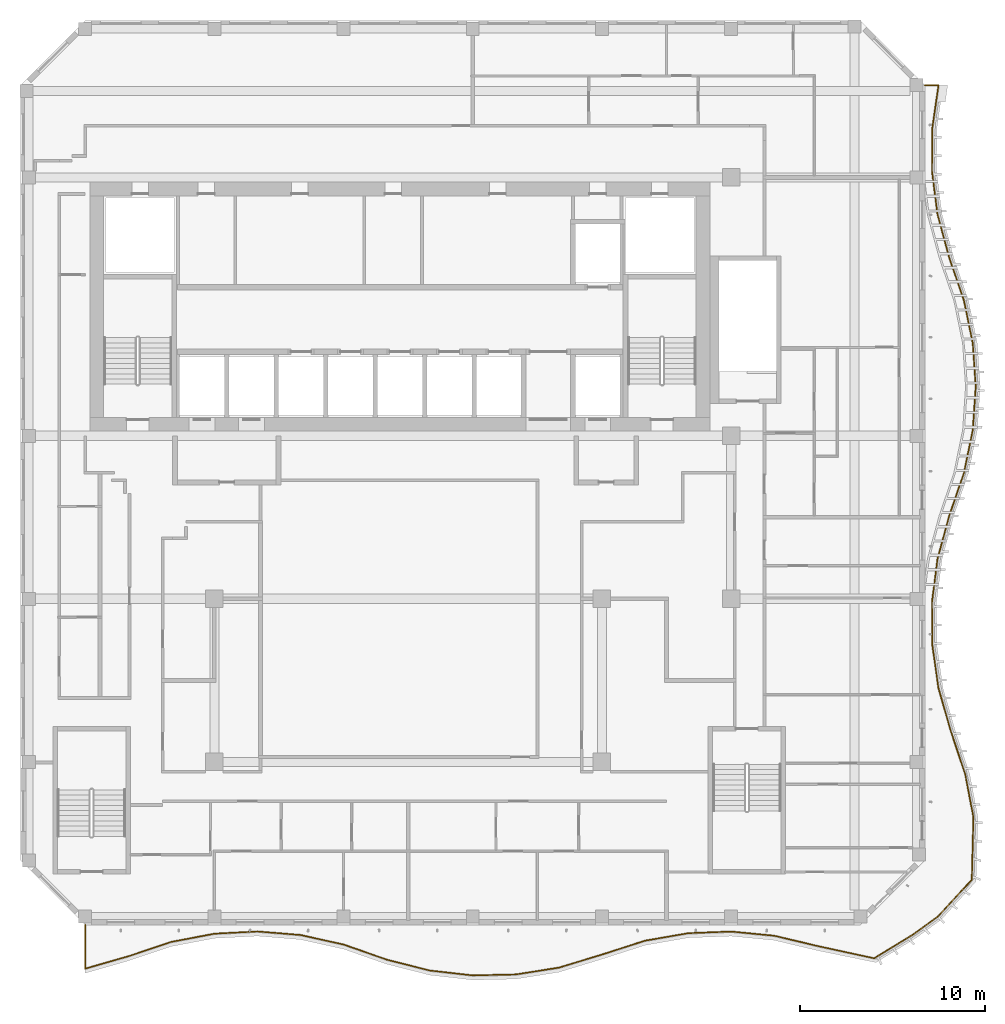
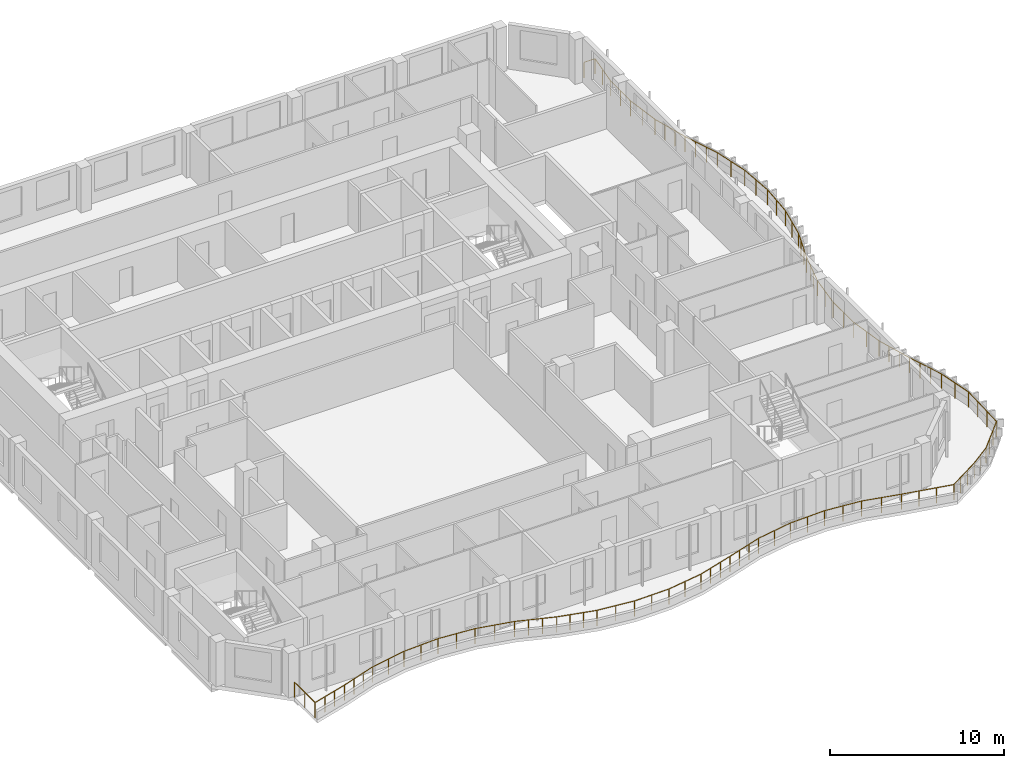
# One storey, part 14 of 18: 1 railing.
"""IFC4 building model written with IfcOpenShell, lengths in metres."""

from ifc_helpers import new_model, si_unit, direction, frame, origin, origin_2d, place, context, subcontext, project, spatial, circle, extrude, material, type_object, element, save


model = new_model("IFC4")

# Units and contexts
model_context = context("Model", 3, precision=1e-05, world=origin(), true_north=direction((0.0, 1.0)))
body_context = subcontext(model_context, "Body", "Model", "MODEL_VIEW")
ifc_project = project(units=[si_unit("LENGTHUNIT", "METRE"), si_unit("AREAUNIT", "SQUARE_METRE"), si_unit("VOLUMEUNIT", "CUBIC_METRE"), si_unit("PLANEANGLEUNIT", "RADIAN"), si_unit("MASSUNIT", "GRAM", prefix="KILO")], contexts=[model_context])

# Site, building, storey
site_placement = place(None, origin())
site = spatial("IfcSite", under=ifc_project, at=site_placement, CompositionType="ELEMENT")
building_placement = place(site_placement, origin())
building = spatial("IfcBuilding", under=site, at=building_placement, Name="Kilnfold Tower and Market Hall", CompositionType="ELEMENT")
storey_placement = place(building_placement, frame((0.0, 0.0, 256.0)))
storey = spatial("IfcBuildingStorey", under=building, at=storey_placement, Name="L62", CompositionType="ELEMENT", Elevation=256.0)

# Railing
ifc_material = material(Name="Stainless steel and laminated glass", Category="steel")
railing_type = type_object("IfcRailingType", Name="GUARD 1100", PredefinedType="GUARDRAIL", material=ifc_material)
railing_placement = place(storey_placement, frame((-16.0, -18.5, 0.0)))
element("IfcRailing", 1, at=railing_placement, inside=storey, type_object=railing_type, Name="Guard balcony L62", PredefinedType="GUARDRAIL", context=body_context, shape_type="SweptSolid", body=[
    extrude(circle(Radius=0.02490234375, at=origin_2d()), frame((0.0, 0.0, 1.0751953125), z_axis=(0.0, -1.0, 0.0), x_axis=(1.0, 0.0, 0.0)), (0.0, 0.0, 1.0), 2.367431640625),
    extrude(circle(Radius=0.02490234375, at=origin_2d()), frame((0.0, -2.367431640625, 1.0751953125), z_axis=(0.96113971032, 0.276062415489, 0.0), x_axis=(-0.276062415489, 0.96113971032, 0.0)), (0.0, 0.0, 1.0), 2.427490234375),
    extrude(circle(Radius=0.02490234375, at=origin_2d()), frame((2.333251953125, -1.697265625, 1.0751953125), z_axis=(0.94844487588, 0.316942135756, 0.0), x_axis=(-0.316942135756, 0.94844487588, 0.0)), (0.0, 0.0, 1.0), 2.46044921875),
    extrude(circle(Radius=0.02490234375, at=origin_2d()), frame((4.666748046875, -0.91748046875, 1.0751953125), z_axis=(0.982421246933, 0.186677512235, 0.0), x_axis=(-0.186677512235, 0.982421246933, 0.0)), (0.0, 0.0, 1.0), 2.375),
    extrude(circle(Radius=0.02490234375, at=origin_2d()), frame((7.0, -0.47412109375, 1.0751953125), z_axis=(0.998628776345, 0.052350425547, 0.0), x_axis=(-0.052350425547, 0.998628776345, 0.0)), (0.0, 0.0, 1.0), 2.33642578125),
    extrude(circle(Radius=0.02490234375, at=origin_2d()), frame((9.333251953125, -0.351806640625, 1.0751953125), z_axis=(0.996635774211, -0.081958120792, 0.0), x_axis=(0.081958120792, 0.996635774211, 0.0)), (0.0, 0.0, 1.0), 2.34130859375),
    extrude(circle(Radius=0.02490234375, at=origin_2d()), frame((11.666748046875, -0.543701171875, 1.0751953125), z_axis=(0.976355032101, -0.216173197439, 0.0), x_axis=(0.216173197439, 0.976355032101, 0.0)), (0.0, 0.0, 1.0), 2.3896484375),
    extrude(circle(Radius=0.02490234375, at=origin_2d()), frame((14.0, -1.060302734375, 1.0751953125), z_axis=(0.94404147133, -0.329826773336, 0.0), x_axis=(0.329826773336, 0.94404147133, 0.0)), (0.0, 0.0, 1.0), 2.471435546875),
    extrude(circle(Radius=0.02490234375, at=origin_2d()), frame((16.333251953125, -1.87548828125, 1.0751953125), z_axis=(0.969144312819, -0.246494018044, 0.0), x_axis=(0.246494018044, 0.969144312819, 0.0)), (0.0, 0.0, 1.0), 2.40771484375),
    extrude(circle(Radius=0.02490234375, at=origin_2d()), frame((18.666748046875, -2.468994140625, 1.0751953125), z_axis=(0.993686911197, -0.112188780703, 0.0), x_axis=(0.112188780703, 0.993686911197, 0.0)), (0.0, 0.0, 1.0), 2.34814453125),
    extrude(circle(Radius=0.02490234375, at=origin_2d()), frame((21.0, -2.732421875, 1.0751953125), z_axis=(0.999756368741, 0.022072679063, 0.0), x_axis=(-0.022072679063, 0.999756368741, 0.0)), (0.0, 0.0, 1.0), 2.333740234375),
    extrude(circle(Radius=0.02490234375, at=origin_2d()), frame((23.333251953125, -2.680908203125, 1.0751953125), z_axis=(0.987717677878, 0.156249124184, 0.0), x_axis=(-0.156249124184, 0.987717677878, 0.0)), (0.0, 0.0, 1.0), 2.362548828125),
    extrude(circle(Radius=0.02490234375, at=origin_2d()), frame((25.666748046875, -2.311767578125, 1.0751953125), z_axis=(0.956831366062, 0.290643659692, 0.0), x_axis=(-0.290643659692, 0.956831366062, 0.0)), (0.0, 0.0, 1.0), 2.4384765625),
    extrude(circle(Radius=0.02490234375, at=origin_2d()), frame((28.0, -1.60302734375, 1.0751953125), z_axis=(0.952083481777, 0.305838264001, 0.0), x_axis=(-0.305838264001, 0.952083481777, 0.0)), (0.0, 0.0, 1.0), 2.45068359375),
    extrude(circle(Radius=0.02490234375, at=origin_2d()), frame((30.333251953125, -0.853515625, 1.0751953125), z_axis=(0.985076806765, 0.172115324053, 0.0), x_axis=(-0.172115324053, 0.985076806765, 0.0)), (0.0, 0.0, 1.0), 2.368896484375),
    extrude(circle(Radius=0.02490234375, at=origin_2d()), frame((32.666748046875, -0.44580078125, 1.0751953125), z_axis=(0.999283399751, 0.037850851806, 0.0), x_axis=(-0.037850851806, 0.999283399751, 0.0)), (0.0, 0.0, 1.0), 2.3349609375),
    extrude(circle(Radius=0.02490234375, at=origin_2d()), frame((35.0, -0.357421875, 1.0751953125), z_axis=(0.995338733027, -0.09644068921, 0.0), x_axis=(0.09644068921, 0.995338733027, 0.0)), (0.0, 0.0, 1.0), 2.34423828125),
    extrude(circle(Radius=0.02490234375, at=origin_2d()), frame((37.333251953125, -0.58349609375, 1.0751953125), z_axis=(0.973028594078, -0.230684535905, 0.0), x_axis=(0.230684535905, 0.973028594078, 0.0)), (0.0, 0.0, 1.0), 2.398193359375),
    extrude(circle(Radius=0.02490234375, at=origin_2d()), frame((39.666748046875, -1.13671875, 1.0751953125), z_axis=(0.977117646737, -0.212699563786, 0.0), x_axis=(0.212699563786, 0.977117646737, 0.0)), (0.0, 0.0, 1.0), 3.154296875),
    extrude(circle(Radius=0.02490234375, at=origin_2d()), frame((42.748779296875, -1.8076171875, 1.0751953125), z_axis=(0.852892670022, 0.522086289249, 0.0), x_axis=(-0.522086289249, 0.852892670022, 0.0)), (0.0, 0.0, 1.0), 2.46728515625),
    extrude(circle(Radius=0.02490234375, at=origin_2d()), frame((44.85302734375, -0.51953125, 1.0751953125), z_axis=(0.809096176964, 0.587676251368, 0.0), x_axis=(-0.587676251368, 0.809096176964, 0.0)), (0.0, 0.0, 1.0), 1.67041015625),
    extrude(circle(Radius=0.02490234375, at=origin_2d()), frame((46.20458984375, 0.462158203125, 1.0751953125), z_axis=(0.678512597935, 0.734588765531, 0.0), x_axis=(-0.734588765531, 0.678512597935, 0.0)), (0.0, 0.0, 1.0), 2.70361328125),
    extrude(circle(Radius=0.02490234375, at=origin_2d()), frame((48.0390625, 2.4482421875, 1.0751953125), z_axis=(0.02530743456, 0.999679715587, 0.0), x_axis=(-0.999679715587, 0.02530743456, 0.0)), (0.0, 0.0, 1.0), 3.385986328125),
    extrude(circle(Radius=0.02490234375, at=origin_2d()), frame((48.124755859375, 5.833251953125, 1.0751953125), z_axis=(-0.187055433655, 0.982349359821, 0.0), x_axis=(-0.982349359821, -0.187055433655, 0.0)), (0.0, 0.0, 1.0), 2.37548828125),
    extrude(circle(Radius=0.02490234375, at=origin_2d()), frame((47.680419921875, 8.166748046875, 1.0751953125), z_axis=(-0.317418207313, 0.948285654044, 0.0), x_axis=(-0.948285654044, -0.317418207313, 0.0)), (0.0, 0.0, 1.0), 2.46044921875),
    extrude(circle(Radius=0.02490234375, at=origin_2d()), frame((46.8994140625, 10.5, 1.0751953125), z_axis=(-0.275504847693, 0.961299682148, 0.0), x_axis=(-0.961299682148, -0.275504847693, 0.0)), (0.0, 0.0, 1.0), 2.42724609375),
    extrude(circle(Radius=0.02490234375, at=origin_2d()), frame((46.230712890625, 12.833251953125, 1.0751953125), z_axis=(-0.141276349669, 0.989970198048, 0.0), x_axis=(-0.989970198048, -0.141276349669, 0.0)), (0.0, 0.0, 1.0), 2.357177734375),
    extrude(circle(Radius=0.02490234375, at=origin_2d()), frame((45.897705078125, 15.166748046875, 1.0751953125), z_axis=(-0.007010395898, 0.999975426873, 0.0), x_axis=(-0.999975426873, -0.007010395898, 0.0)), (0.0, 0.0, 1.0), 2.333251953125),
    extrude(circle(Radius=0.02490234375, at=origin_2d()), frame((45.88134765625, 17.5, 1.0751953125), z_axis=(0.12724024102, 0.991871927753, 0.0), x_axis=(-0.991871927753, 0.12724024102, 0.0)), (0.0, 0.0, 1.0), 2.352294921875),
    extrude(circle(Radius=0.02490234375, at=origin_2d()), frame((46.1806640625, 19.833251953125, 1.0751953125), z_axis=(0.261544835595, 0.965191327651, 0.0), x_axis=(-0.965191327651, 0.261544835595, 0.0)), (0.0, 0.0, 1.0), 2.417724609375),
    extrude(circle(Radius=0.02490234375, at=origin_2d()), frame((46.81298828125, 22.166748046875, 1.0751953125), z_axis=(0.324883398585, 0.945754078671, 0.0), x_axis=(-0.945754078671, 0.324883398585, 0.0)), (0.0, 0.0, 1.0), 2.467041015625),
    extrude(circle(Radius=0.02490234375, at=origin_2d()), frame((47.614501953125, 24.5, 1.0751953125), z_axis=(0.201100506753, 0.979570613169, 0.0), x_axis=(-0.979570613169, 0.201100506753, 0.0)), (0.0, 0.0, 1.0), 2.3818359375),
    extrude(circle(Radius=0.02490234375, at=origin_2d()), frame((48.093505859375, 26.833251953125, 1.0751953125), z_axis=(0.066913931739, 0.997758751272, 0.0), x_axis=(-0.997758751272, 0.066913931739, 0.0)), (0.0, 0.0, 1.0), 2.338623046875),
    extrude(circle(Radius=0.02490234375, at=origin_2d()), frame((48.25, 29.166748046875, 1.0751953125), z_axis=(-0.067440540817, 0.997723295034, 0.0), x_axis=(-0.997723295034, -0.067440540817, 0.0)), (0.0, 0.0, 1.0), 2.338623046875),
    extrude(circle(Radius=0.02490234375, at=origin_2d()), frame((48.09228515625, 31.5, 1.0751953125), z_axis=(-0.201592193466, 0.979469543954, 0.0), x_axis=(-0.979469543954, -0.201592193466, 0.0)), (0.0, 0.0, 1.0), 2.382080078125),
    extrude(circle(Radius=0.02490234375, at=origin_2d()), frame((47.612060546875, 33.833251953125, 1.0751953125), z_axis=(-0.325118480329, 0.945673291231, 0.0), x_axis=(-0.945673291231, -0.325118480329, 0.0)), (0.0, 0.0, 1.0), 2.467529296875),
    extrude(circle(Radius=0.02490234375, at=origin_2d()), frame((46.809814453125, 36.166748046875, 1.0751953125), z_axis=(-0.261005700354, 0.965337259398, 0.0), x_axis=(-0.965337259398, -0.261005700354, 0.0)), (0.0, 0.0, 1.0), 2.4169921875),
    extrude(circle(Radius=0.02490234375, at=origin_2d()), frame((46.178955078125, 38.5, 1.0751953125), z_axis=(-0.126729667634, 0.991937292041, 0.0), x_axis=(-0.991937292041, -0.126729667634, 0.0)), (0.0, 0.0, 1.0), 2.352294921875),
    extrude(circle(Radius=0.02490234375, at=origin_2d()), frame((45.880859375, 40.833251953125, 1.0751953125), z_axis=(0.007532742964, 0.999971628489, 0.0), x_axis=(-0.999971628489, 0.007532742964, 0.0)), (0.0, 0.0, 1.0), 2.33349609375),
    extrude(circle(Radius=0.02490234375, at=origin_2d()), frame((45.8984375, 43.166748046875, 1.0751953125), z_axis=(0.141696872456, 0.989910095077, 0.0), x_axis=(-0.989910095077, 0.141696872456, 0.0)), (0.0, 0.0, 1.0), 2.35693359375),
    extrude(circle(Radius=0.02490234375, at=origin_2d()), frame((46.232421875, 45.5, 1.0751953125), z_axis=(-1.0, 0.0, 0.0), x_axis=(0.0, -1.0, 0.0)), (0.0, 0.0, 1.0), 0.732421875),
    extrude(circle(Radius=0.02490234375, at=origin_2d()), origin(), (0.0, 0.0, 1.0), 1.050048828125),
    extrude(circle(Radius=0.02490234375, at=origin_2d()), frame((0.0, -1.18359375, 0.0)), (0.0, 0.0, 1.0), 1.050048828125),
    extrude(circle(Radius=0.02490234375, at=origin_2d()), frame((0.0, -2.367431640625, 0.0)), (0.0, 0.0, 1.0), 1.050048828125),
    extrude(circle(Radius=0.02490234375, at=origin_2d()), frame((0.77783203125, -2.14404296875, 0.0)), (0.0, 0.0, 1.0), 1.050048828125),
    extrude(circle(Radius=0.02490234375, at=origin_2d()), frame((1.555419921875, -1.920654296875, 0.0)), (0.0, 0.0, 1.0), 1.050048828125),
    extrude(circle(Radius=0.02490234375, at=origin_2d()), frame((2.333251953125, -1.697265625, 0.0)), (0.0, 0.0, 1.0), 1.050048828125),
    extrude(circle(Radius=0.02490234375, at=origin_2d()), frame((3.111083984375, -1.437255859375, 0.0)), (0.0, 0.0, 1.0), 1.050048828125),
    extrude(circle(Radius=0.02490234375, at=origin_2d()), frame((3.888916015625, -1.177490234375, 0.0)), (0.0, 0.0, 1.0), 1.050048828125),
    extrude(circle(Radius=0.02490234375, at=origin_2d()), frame((4.666748046875, -0.91748046875, 0.0)), (0.0, 0.0, 1.0), 1.050048828125),
    extrude(circle(Radius=0.02490234375, at=origin_2d()), frame((5.83349609375, -0.69580078125, 0.0)), (0.0, 0.0, 1.0), 1.050048828125),
    extrude(circle(Radius=0.02490234375, at=origin_2d()), frame((7.0, -0.47412109375, 0.0)), (0.0, 0.0, 1.0), 1.050048828125),
    extrude(circle(Radius=0.02490234375, at=origin_2d()), frame((8.16650390625, -0.4130859375, 0.0)), (0.0, 0.0, 1.0), 1.050048828125),
    extrude(circle(Radius=0.02490234375, at=origin_2d()), frame((9.333251953125, -0.351806640625, 0.0)), (0.0, 0.0, 1.0), 1.050048828125),
    extrude(circle(Radius=0.02490234375, at=origin_2d()), frame((10.5, -0.44775390625, 0.0)), (0.0, 0.0, 1.0), 1.050048828125),
    extrude(circle(Radius=0.02490234375, at=origin_2d()), frame((11.666748046875, -0.543701171875, 0.0)), (0.0, 0.0, 1.0), 1.050048828125),
    extrude(circle(Radius=0.02490234375, at=origin_2d()), frame((12.83349609375, -0.802001953125, 0.0)), (0.0, 0.0, 1.0), 1.050048828125),
    extrude(circle(Radius=0.02490234375, at=origin_2d()), frame((14.0, -1.060302734375, 0.0)), (0.0, 0.0, 1.0), 1.050048828125),
    extrude(circle(Radius=0.02490234375, at=origin_2d()), frame((14.77783203125, -1.33203125, 0.0)), (0.0, 0.0, 1.0), 1.050048828125),
    extrude(circle(Radius=0.02490234375, at=origin_2d()), frame((15.555419921875, -1.603759765625, 0.0)), (0.0, 0.0, 1.0), 1.050048828125),
    extrude(circle(Radius=0.02490234375, at=origin_2d()), frame((16.333251953125, -1.87548828125, 0.0)), (0.0, 0.0, 1.0), 1.050048828125),
    extrude(circle(Radius=0.02490234375, at=origin_2d()), frame((17.111083984375, -2.0732421875, 0.0)), (0.0, 0.0, 1.0), 1.050048828125),
    extrude(circle(Radius=0.02490234375, at=origin_2d()), frame((17.888916015625, -2.271240234375, 0.0)), (0.0, 0.0, 1.0), 1.050048828125),
    extrude(circle(Radius=0.02490234375, at=origin_2d()), frame((18.666748046875, -2.468994140625, 0.0)), (0.0, 0.0, 1.0), 1.050048828125),
    extrude(circle(Radius=0.02490234375, at=origin_2d()), frame((19.83349609375, -2.6005859375, 0.0)), (0.0, 0.0, 1.0), 1.050048828125),
    extrude(circle(Radius=0.02490234375, at=origin_2d()), frame((21.0, -2.732421875, 0.0)), (0.0, 0.0, 1.0), 1.050048828125),
    extrude(circle(Radius=0.02490234375, at=origin_2d()), frame((22.16650390625, -2.70654296875, 0.0)), (0.0, 0.0, 1.0), 1.050048828125),
    extrude(circle(Radius=0.02490234375, at=origin_2d()), frame((23.333251953125, -2.680908203125, 0.0)), (0.0, 0.0, 1.0), 1.050048828125),
    extrude(circle(Radius=0.02490234375, at=origin_2d()), frame((24.5, -2.496337890625, 0.0)), (0.0, 0.0, 1.0), 1.050048828125),
    extrude(circle(Radius=0.02490234375, at=origin_2d()), frame((25.666748046875, -2.311767578125, 0.0)), (0.0, 0.0, 1.0), 1.050048828125),
    extrude(circle(Radius=0.02490234375, at=origin_2d()), frame((26.444580078125, -2.075439453125, 0.0)), (0.0, 0.0, 1.0), 1.050048828125),
    extrude(circle(Radius=0.02490234375, at=origin_2d()), frame((27.22216796875, -1.83935546875, 0.0)), (0.0, 0.0, 1.0), 1.050048828125),
    extrude(circle(Radius=0.02490234375, at=origin_2d()), frame((28.0, -1.60302734375, 0.0)), (0.0, 0.0, 1.0), 1.050048828125),
    extrude(circle(Radius=0.02490234375, at=origin_2d()), frame((28.77783203125, -1.353271484375, 0.0)), (0.0, 0.0, 1.0), 1.050048828125),
    extrude(circle(Radius=0.02490234375, at=origin_2d()), frame((29.555419921875, -1.103271484375, 0.0)), (0.0, 0.0, 1.0), 1.050048828125),
    extrude(circle(Radius=0.02490234375, at=origin_2d()), frame((30.333251953125, -0.853515625, 0.0)), (0.0, 0.0, 1.0), 1.050048828125),
    extrude(circle(Radius=0.02490234375, at=origin_2d()), frame((31.5, -0.649658203125, 0.0)), (0.0, 0.0, 1.0), 1.050048828125),
    extrude(circle(Radius=0.02490234375, at=origin_2d()), frame((32.666748046875, -0.44580078125, 0.0)), (0.0, 0.0, 1.0), 1.050048828125),
    extrude(circle(Radius=0.02490234375, at=origin_2d()), frame((33.83349609375, -0.401611328125, 0.0)), (0.0, 0.0, 1.0), 1.050048828125),
    extrude(circle(Radius=0.02490234375, at=origin_2d()), frame((35.0, -0.357421875, 0.0)), (0.0, 0.0, 1.0), 1.050048828125),
    extrude(circle(Radius=0.02490234375, at=origin_2d()), frame((36.16650390625, -0.470458984375, 0.0)), (0.0, 0.0, 1.0), 1.050048828125),
    extrude(circle(Radius=0.02490234375, at=origin_2d()), frame((37.333251953125, -0.58349609375, 0.0)), (0.0, 0.0, 1.0), 1.050048828125),
    extrude(circle(Radius=0.02490234375, at=origin_2d()), frame((38.5, -0.860107421875, 0.0)), (0.0, 0.0, 1.0), 1.050048828125),
    extrude(circle(Radius=0.02490234375, at=origin_2d()), frame((39.666748046875, -1.13671875, 0.0)), (0.0, 0.0, 1.0), 1.050048828125),
    extrude(circle(Radius=0.02490234375, at=origin_2d()), frame((40.694091796875, -1.3603515625, 0.0)), (0.0, 0.0, 1.0), 1.050048828125),
    extrude(circle(Radius=0.02490234375, at=origin_2d()), frame((41.721435546875, -1.583984375, 0.0)), (0.0, 0.0, 1.0), 1.050048828125),
    extrude(circle(Radius=0.02490234375, at=origin_2d()), frame((42.748779296875, -1.8076171875, 0.0)), (0.0, 0.0, 1.0), 1.050048828125),
    extrude(circle(Radius=0.02490234375, at=origin_2d()), frame((43.4501953125, -1.378173828125, 0.0)), (0.0, 0.0, 1.0), 1.050048828125),
    extrude(circle(Radius=0.02490234375, at=origin_2d()), frame((44.151611328125, -0.948974609375, 0.0)), (0.0, 0.0, 1.0), 1.050048828125),
    extrude(circle(Radius=0.02490234375, at=origin_2d()), frame((44.85302734375, -0.51953125, 0.0)), (0.0, 0.0, 1.0), 1.050048828125),
    extrude(circle(Radius=0.02490234375, at=origin_2d()), frame((45.52880859375, -0.02880859375, 0.0)), (0.0, 0.0, 1.0), 1.050048828125),
    extrude(circle(Radius=0.02490234375, at=origin_2d()), frame((46.20458984375, 0.462158203125, 0.0)), (0.0, 0.0, 1.0), 1.050048828125),
    extrude(circle(Radius=0.02490234375, at=origin_2d()), frame((46.816162109375, 1.124267578125, 0.0)), (0.0, 0.0, 1.0), 1.050048828125),
    extrude(circle(Radius=0.02490234375, at=origin_2d()), frame((47.427490234375, 1.7861328125, 0.0)), (0.0, 0.0, 1.0), 1.050048828125),
    extrude(circle(Radius=0.02490234375, at=origin_2d()), frame((48.0390625, 2.4482421875, 0.0)), (0.0, 0.0, 1.0), 1.050048828125),
    extrude(circle(Radius=0.02490234375, at=origin_2d()), frame((48.067626953125, 3.57666015625, 0.0)), (0.0, 0.0, 1.0), 1.050048828125),
    extrude(circle(Radius=0.02490234375, at=origin_2d()), frame((48.09619140625, 4.704833984375, 0.0)), (0.0, 0.0, 1.0), 1.050048828125),
    extrude(circle(Radius=0.02490234375, at=origin_2d()), frame((48.124755859375, 5.833251953125, 0.0)), (0.0, 0.0, 1.0), 1.050048828125),
    extrude(circle(Radius=0.02490234375, at=origin_2d()), frame((47.902587890625, 7.0, 0.0)), (0.0, 0.0, 1.0), 1.050048828125),
    extrude(circle(Radius=0.02490234375, at=origin_2d()), frame((47.680419921875, 8.166748046875, 0.0)), (0.0, 0.0, 1.0), 1.050048828125),
    extrude(circle(Radius=0.02490234375, at=origin_2d()), frame((47.420166015625, 8.944580078125, 0.0)), (0.0, 0.0, 1.0), 1.050048828125),
    extrude(circle(Radius=0.02490234375, at=origin_2d()), frame((47.15966796875, 9.72216796875, 0.0)), (0.0, 0.0, 1.0), 1.050048828125),
    extrude(circle(Radius=0.02490234375, at=origin_2d()), frame((46.8994140625, 10.5, 0.0)), (0.0, 0.0, 1.0), 1.050048828125),
    extrude(circle(Radius=0.02490234375, at=origin_2d()), frame((46.676513671875, 11.27783203125, 0.0)), (0.0, 0.0, 1.0), 1.050048828125),
    extrude(circle(Radius=0.02490234375, at=origin_2d()), frame((46.45361328125, 12.055419921875, 0.0)), (0.0, 0.0, 1.0), 1.050048828125),
    extrude(circle(Radius=0.02490234375, at=origin_2d()), frame((46.230712890625, 12.833251953125, 0.0)), (0.0, 0.0, 1.0), 1.050048828125),
    extrude(circle(Radius=0.02490234375, at=origin_2d()), frame((46.064208984375, 14.0, 0.0)), (0.0, 0.0, 1.0), 1.050048828125),
    extrude(circle(Radius=0.02490234375, at=origin_2d()), frame((45.897705078125, 15.166748046875, 0.0)), (0.0, 0.0, 1.0), 1.050048828125),
    extrude(circle(Radius=0.02490234375, at=origin_2d()), frame((45.8896484375, 16.33349609375, 0.0)), (0.0, 0.0, 1.0), 1.050048828125),
    extrude(circle(Radius=0.02490234375, at=origin_2d()), frame((45.88134765625, 17.5, 0.0)), (0.0, 0.0, 1.0), 1.050048828125),
    extrude(circle(Radius=0.02490234375, at=origin_2d()), frame((46.031005859375, 18.66650390625, 0.0)), (0.0, 0.0, 1.0), 1.050048828125),
    extrude(circle(Radius=0.02490234375, at=origin_2d()), frame((46.1806640625, 19.833251953125, 0.0)), (0.0, 0.0, 1.0), 1.050048828125),
    extrude(circle(Radius=0.02490234375, at=origin_2d()), frame((46.391357421875, 20.611083984375, 0.0)), (0.0, 0.0, 1.0), 1.050048828125),
    extrude(circle(Radius=0.02490234375, at=origin_2d()), frame((46.602294921875, 21.388916015625, 0.0)), (0.0, 0.0, 1.0), 1.050048828125),
    extrude(circle(Radius=0.02490234375, at=origin_2d()), frame((46.81298828125, 22.166748046875, 0.0)), (0.0, 0.0, 1.0), 1.050048828125),
    extrude(circle(Radius=0.02490234375, at=origin_2d()), frame((47.080078125, 22.944580078125, 0.0)), (0.0, 0.0, 1.0), 1.050048828125),
    extrude(circle(Radius=0.02490234375, at=origin_2d()), frame((47.347412109375, 23.72216796875, 0.0)), (0.0, 0.0, 1.0), 1.050048828125),
    extrude(circle(Radius=0.02490234375, at=origin_2d()), frame((47.614501953125, 24.5, 0.0)), (0.0, 0.0, 1.0), 1.050048828125),
    extrude(circle(Radius=0.02490234375, at=origin_2d()), frame((47.85400390625, 25.66650390625, 0.0)), (0.0, 0.0, 1.0), 1.050048828125),
    extrude(circle(Radius=0.02490234375, at=origin_2d()), frame((48.093505859375, 26.833251953125, 0.0)), (0.0, 0.0, 1.0), 1.050048828125),
    extrude(circle(Radius=0.02490234375, at=origin_2d()), frame((48.171875, 28.0, 0.0)), (0.0, 0.0, 1.0), 1.050048828125),
    extrude(circle(Radius=0.02490234375, at=origin_2d()), frame((48.25, 29.166748046875, 0.0)), (0.0, 0.0, 1.0), 1.050048828125),
    extrude(circle(Radius=0.02490234375, at=origin_2d()), frame((48.171142578125, 30.33349609375, 0.0)), (0.0, 0.0, 1.0), 1.050048828125),
    extrude(circle(Radius=0.02490234375, at=origin_2d()), frame((48.09228515625, 31.5, 0.0)), (0.0, 0.0, 1.0), 1.050048828125),
    extrude(circle(Radius=0.02490234375, at=origin_2d()), frame((47.85205078125, 32.66650390625, 0.0)), (0.0, 0.0, 1.0), 1.050048828125),
    extrude(circle(Radius=0.02490234375, at=origin_2d()), frame((47.612060546875, 33.833251953125, 0.0)), (0.0, 0.0, 1.0), 1.050048828125),
    extrude(circle(Radius=0.02490234375, at=origin_2d()), frame((47.3447265625, 34.611083984375, 0.0)), (0.0, 0.0, 1.0), 1.050048828125),
    extrude(circle(Radius=0.02490234375, at=origin_2d()), frame((47.0771484375, 35.388916015625, 0.0)), (0.0, 0.0, 1.0), 1.050048828125),
    extrude(circle(Radius=0.02490234375, at=origin_2d()), frame((46.809814453125, 36.166748046875, 0.0)), (0.0, 0.0, 1.0), 1.050048828125),
    extrude(circle(Radius=0.02490234375, at=origin_2d()), frame((46.599609375, 36.944580078125, 0.0)), (0.0, 0.0, 1.0), 1.050048828125),
    extrude(circle(Radius=0.02490234375, at=origin_2d()), frame((46.38916015625, 37.72216796875, 0.0)), (0.0, 0.0, 1.0), 1.050048828125),
    extrude(circle(Radius=0.02490234375, at=origin_2d()), frame((46.178955078125, 38.5, 0.0)), (0.0, 0.0, 1.0), 1.050048828125),
    extrude(circle(Radius=0.02490234375, at=origin_2d()), frame((46.02978515625, 39.66650390625, 0.0)), (0.0, 0.0, 1.0), 1.050048828125),
    extrude(circle(Radius=0.02490234375, at=origin_2d()), frame((45.880859375, 40.833251953125, 0.0)), (0.0, 0.0, 1.0), 1.050048828125),
    extrude(circle(Radius=0.02490234375, at=origin_2d()), frame((45.8896484375, 42.0, 0.0)), (0.0, 0.0, 1.0), 1.050048828125),
    extrude(circle(Radius=0.02490234375, at=origin_2d()), frame((45.8984375, 43.166748046875, 0.0)), (0.0, 0.0, 1.0), 1.050048828125),
    extrude(circle(Radius=0.02490234375, at=origin_2d()), frame((46.0654296875, 44.33349609375, 0.0)), (0.0, 0.0, 1.0), 1.050048828125),
    extrude(circle(Radius=0.02490234375, at=origin_2d()), frame((46.232421875, 45.5, 0.0)), (0.0, 0.0, 1.0), 1.050048828125),
    extrude(circle(Radius=0.02490234375, at=origin_2d()), frame((45.5, 45.5, 0.0)), (0.0, 0.0, 1.0), 1.050048828125),
])

save(model, "model.ifc")
